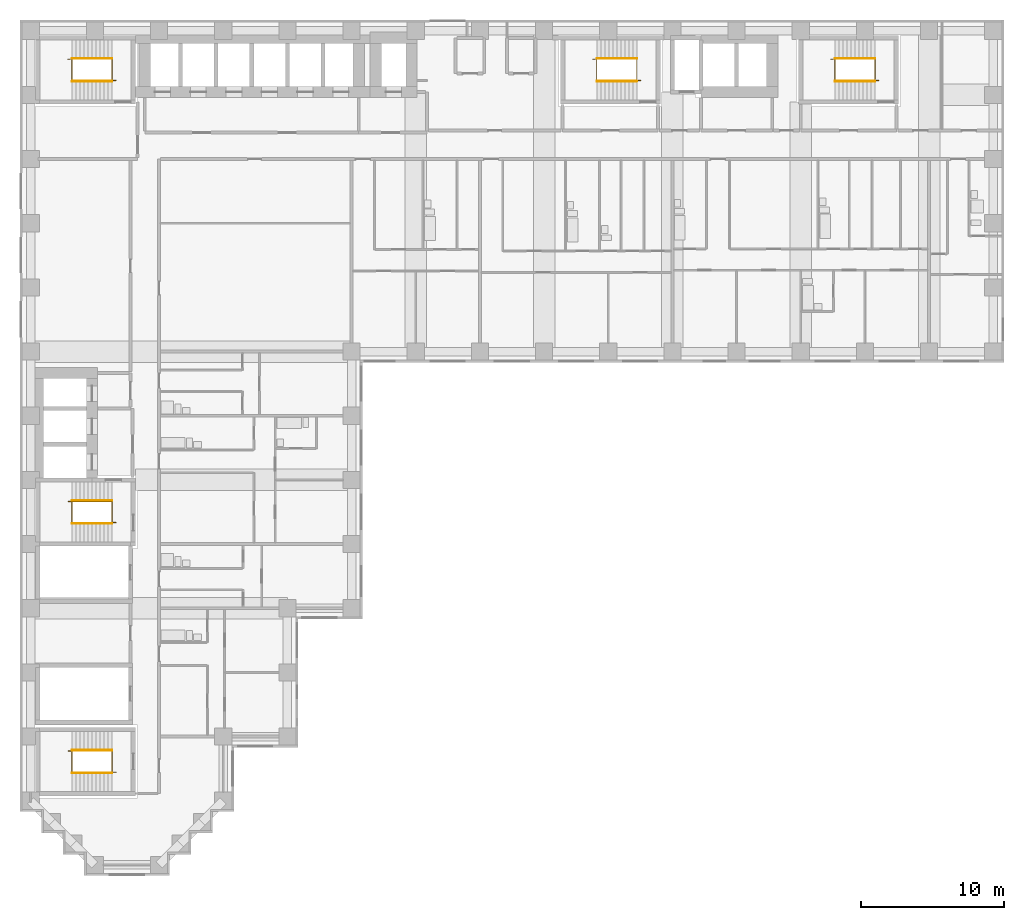
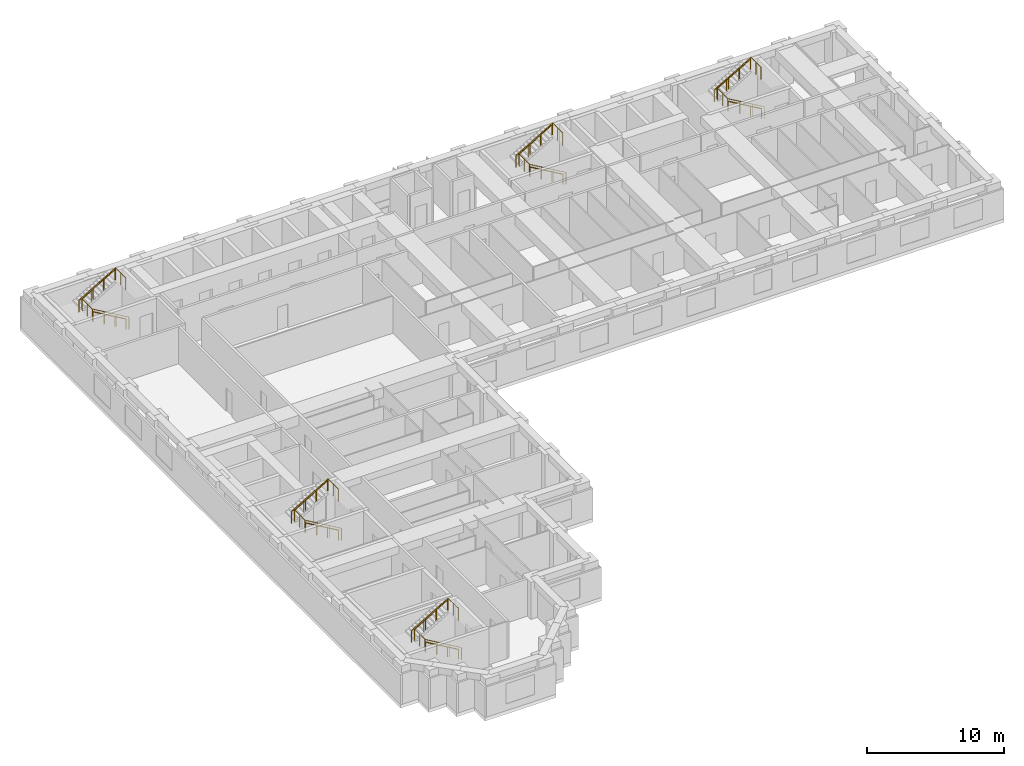
# One storey, part 10 of 11: 15 railings.
"""IFC4 building model written with IfcOpenShell, lengths in metres."""

from ifc_helpers import new_model, si_unit, direction, frame, origin, origin_2d, place, context, subcontext, project, spatial, circle, extrude, material, type_object, element, save


model = new_model("IFC4")

# Units and contexts
model_context = context("Model", 3, precision=1e-05, world=origin(), true_north=direction((0.0, 1.0)))
body_context = subcontext(model_context, "Body", "Model", "MODEL_VIEW")
ifc_project = project(units=[si_unit("LENGTHUNIT", "METRE"), si_unit("AREAUNIT", "SQUARE_METRE"), si_unit("VOLUMEUNIT", "CUBIC_METRE"), si_unit("PLANEANGLEUNIT", "RADIAN"), si_unit("MASSUNIT", "GRAM", prefix="KILO")], contexts=[model_context])

# Site, building, storey
site_placement = place(None, origin())
site = spatial("IfcSite", under=ifc_project, at=site_placement, CompositionType="ELEMENT")
building_placement = place(site_placement, origin())
building = spatial("IfcBuilding", under=site, at=building_placement, Name="Firuza Court", CompositionType="ELEMENT")
storey_placement = place(building_placement, frame((0.0, 0.0, 86.60009765625)))
storey = spatial("IfcBuildingStorey", under=building, at=storey_placement, Name="L21", CompositionType="ELEMENT", Elevation=86.60009765625)

# Railings
ifc_material_1 = material(Name="Steel S355", Category="steel")
railing_type_1 = type_object("IfcRailingType", Name="Handrail 900", PredefinedType="HANDRAIL", material=ifc_material_1)
railing_1_placement = place(storey_placement, frame((42.5, 54.949951171875, 0.16357421875)))
element("IfcRailing", 1, at=railing_1_placement, inside=storey, type_object=railing_type_1, Name="Handrail S1 flight 1", PredefinedType="HANDRAIL", context=body_context, shape_type="SweptSolid", body=[
    extrude(circle(Radius=0.02490234375, at=origin_2d()), frame((0.0, 0.0, 0.875), z_axis=(-0.863393664356, 0.0, 0.504530851732), x_axis=(0.0, -1.0, 0.0)), (0.0, 0.0, 1.0), 3.2431640625),
    extrude(circle(Radius=0.02001953125, at=origin_2d()), origin(), (0.0, 0.0, 1.0), 0.849853515625),
    extrude(circle(Radius=0.02001953125, at=origin_2d()), frame((-0.933349609375, 0.0, 0.54541015625)), (0.0, 0.0, 1.0), 0.849853515625),
    extrude(circle(Radius=0.02001953125, at=origin_2d()), frame((-1.86669921875, 0.0, 1.0908203125)), (0.0, 0.0, 1.0), 0.849853515625),
    extrude(circle(Radius=0.02001953125, at=origin_2d()), frame((-2.800048828125, 0.0, 1.63623046875)), (0.0, 0.0, 1.0), 0.849853515625),
])
railing_2_placement = place(storey_placement, frame((39.699951171875, 56.550048828125, 1.963623046875)))
element("IfcRailing", 2, at=railing_2_placement, inside=storey, type_object=railing_type_1, Name="Handrail S1 flight 2", PredefinedType="HANDRAIL", context=body_context, shape_type="SweptSolid", body=[
    extrude(circle(Radius=0.02490234375, at=origin_2d()), frame((0.0, 0.0, 0.875), z_axis=(0.863393664356, 0.0, 0.504530851732), x_axis=(0.0, 1.0, 0.0)), (0.0, 0.0, 1.0), 3.2431640625),
    extrude(circle(Radius=0.02001953125, at=origin_2d()), origin(), (0.0, 0.0, 1.0), 0.849853515625),
    extrude(circle(Radius=0.02001953125, at=origin_2d()), frame((0.933349609375, 0.0, 0.54541015625)), (0.0, 0.0, 1.0), 0.849853515625),
    extrude(circle(Radius=0.02001953125, at=origin_2d()), frame((1.86669921875, 0.0, 1.0908203125)), (0.0, 0.0, 1.0), 0.849853515625),
    extrude(circle(Radius=0.02001953125, at=origin_2d()), frame((2.800048828125, 0.0, 1.63623046875)), (0.0, 0.0, 1.0), 0.849853515625),
])
railing_3_placement = place(storey_placement, frame((5.699951171875, 23.949951171875, 0.16357421875)))
element("IfcRailing", 3, at=railing_3_placement, inside=storey, type_object=railing_type_1, Name="Handrail S2 flight 1", PredefinedType="HANDRAIL", context=body_context, shape_type="SweptSolid", body=[
    extrude(circle(Radius=0.02490234375, at=origin_2d()), frame((0.0, 0.0, 0.875), z_axis=(-0.863393664356, 0.0, 0.504530851732), x_axis=(0.0, -1.0, 0.0)), (0.0, 0.0, 1.0), 3.2431640625),
    extrude(circle(Radius=0.02001953125, at=origin_2d()), origin(), (0.0, 0.0, 1.0), 0.849853515625),
    extrude(circle(Radius=0.02001953125, at=origin_2d()), frame((-0.933349609375, 0.0, 0.54541015625)), (0.0, 0.0, 1.0), 0.849853515625),
    extrude(circle(Radius=0.02001953125, at=origin_2d()), frame((-1.86669921875, 0.0, 1.0908203125)), (0.0, 0.0, 1.0), 0.849853515625),
    extrude(circle(Radius=0.02001953125, at=origin_2d()), frame((-2.800048828125, 0.0, 1.63623046875)), (0.0, 0.0, 1.0), 0.849853515625),
])
railing_4_placement = place(storey_placement, frame((2.89990234375, 25.550048828125, 1.963623046875)))
element("IfcRailing", 4, at=railing_4_placement, inside=storey, type_object=railing_type_1, Name="Handrail S2 flight 2", PredefinedType="HANDRAIL", context=body_context, shape_type="SweptSolid", body=[
    extrude(circle(Radius=0.02490234375, at=origin_2d()), frame((0.0, 0.0, 0.875), z_axis=(0.863393664356, 0.0, 0.504530851732), x_axis=(0.0, 1.0, 0.0)), (0.0, 0.0, 1.0), 3.2431640625),
    extrude(circle(Radius=0.02001953125, at=origin_2d()), origin(), (0.0, 0.0, 1.0), 0.849853515625),
    extrude(circle(Radius=0.02001953125, at=origin_2d()), frame((0.933349609375, 0.0, 0.54541015625)), (0.0, 0.0, 1.0), 0.849853515625),
    extrude(circle(Radius=0.02001953125, at=origin_2d()), frame((1.86669921875, 0.0, 1.0908203125)), (0.0, 0.0, 1.0), 0.849853515625),
    extrude(circle(Radius=0.02001953125, at=origin_2d()), frame((2.800048828125, 0.0, 1.63623046875)), (0.0, 0.0, 1.0), 0.849853515625),
])
railing_5_placement = place(storey_placement, frame((5.699951171875, 54.949951171875, 0.16357421875)))
element("IfcRailing", 5, at=railing_5_placement, inside=storey, type_object=railing_type_1, Name="Handrail S3 flight 1", PredefinedType="HANDRAIL", context=body_context, shape_type="SweptSolid", body=[
    extrude(circle(Radius=0.02490234375, at=origin_2d()), frame((0.0, 0.0, 0.875), z_axis=(-0.863393664356, 0.0, 0.504530851732), x_axis=(0.0, -1.0, 0.0)), (0.0, 0.0, 1.0), 3.2431640625),
    extrude(circle(Radius=0.02001953125, at=origin_2d()), origin(), (0.0, 0.0, 1.0), 0.849853515625),
    extrude(circle(Radius=0.02001953125, at=origin_2d()), frame((-0.933349609375, 0.0, 0.54541015625)), (0.0, 0.0, 1.0), 0.849853515625),
    extrude(circle(Radius=0.02001953125, at=origin_2d()), frame((-1.86669921875, 0.0, 1.0908203125)), (0.0, 0.0, 1.0), 0.849853515625),
    extrude(circle(Radius=0.02001953125, at=origin_2d()), frame((-2.800048828125, 0.0, 1.63623046875)), (0.0, 0.0, 1.0), 0.849853515625),
])
railing_6_placement = place(storey_placement, frame((2.89990234375, 56.550048828125, 1.963623046875)))
element("IfcRailing", 6, at=railing_6_placement, inside=storey, type_object=railing_type_1, Name="Handrail S3 flight 2", PredefinedType="HANDRAIL", context=body_context, shape_type="SweptSolid", body=[
    extrude(circle(Radius=0.02490234375, at=origin_2d()), frame((0.0, 0.0, 0.875), z_axis=(0.863393664356, 0.0, 0.504530851732), x_axis=(0.0, 1.0, 0.0)), (0.0, 0.0, 1.0), 3.2431640625),
    extrude(circle(Radius=0.02001953125, at=origin_2d()), origin(), (0.0, 0.0, 1.0), 0.849853515625),
    extrude(circle(Radius=0.02001953125, at=origin_2d()), frame((0.933349609375, 0.0, 0.54541015625)), (0.0, 0.0, 1.0), 0.849853515625),
    extrude(circle(Radius=0.02001953125, at=origin_2d()), frame((1.86669921875, 0.0, 1.0908203125)), (0.0, 0.0, 1.0), 0.849853515625),
    extrude(circle(Radius=0.02001953125, at=origin_2d()), frame((2.800048828125, 0.0, 1.63623046875)), (0.0, 0.0, 1.0), 0.849853515625),
])
railing_7_placement = place(storey_placement, frame((59.199951171875, 54.949951171875, 0.16357421875)))
element("IfcRailing", 7, at=railing_7_placement, inside=storey, type_object=railing_type_1, Name="Handrail S4 flight 1", PredefinedType="HANDRAIL", context=body_context, shape_type="SweptSolid", body=[
    extrude(circle(Radius=0.02490234375, at=origin_2d()), frame((0.0, 0.0, 0.875), z_axis=(-0.863393664356, 0.0, 0.504530851732), x_axis=(0.0, -1.0, 0.0)), (0.0, 0.0, 1.0), 3.2431640625),
    extrude(circle(Radius=0.02001953125, at=origin_2d()), origin(), (0.0, 0.0, 1.0), 0.849853515625),
    extrude(circle(Radius=0.02001953125, at=origin_2d()), frame((-0.933349609375, 0.0, 0.54541015625)), (0.0, 0.0, 1.0), 0.849853515625),
    extrude(circle(Radius=0.02001953125, at=origin_2d()), frame((-1.86669921875, 0.0, 1.0908203125)), (0.0, 0.0, 1.0), 0.849853515625),
    extrude(circle(Radius=0.02001953125, at=origin_2d()), frame((-2.800048828125, 0.0, 1.63623046875)), (0.0, 0.0, 1.0), 0.849853515625),
])
railing_8_placement = place(storey_placement, frame((56.39990234375, 56.550048828125, 1.963623046875)))
element("IfcRailing", 8, at=railing_8_placement, inside=storey, type_object=railing_type_1, Name="Handrail S4 flight 2", PredefinedType="HANDRAIL", context=body_context, shape_type="SweptSolid", body=[
    extrude(circle(Radius=0.02490234375, at=origin_2d()), frame((0.0, 0.0, 0.875), z_axis=(0.863393664356, 0.0, 0.504530851732), x_axis=(0.0, 1.0, 0.0)), (0.0, 0.0, 1.0), 3.2431640625),
    extrude(circle(Radius=0.02001953125, at=origin_2d()), origin(), (0.0, 0.0, 1.0), 0.849853515625),
    extrude(circle(Radius=0.02001953125, at=origin_2d()), frame((0.933349609375, 0.0, 0.54541015625)), (0.0, 0.0, 1.0), 0.849853515625),
    extrude(circle(Radius=0.02001953125, at=origin_2d()), frame((1.86669921875, 0.0, 1.0908203125)), (0.0, 0.0, 1.0), 0.849853515625),
    extrude(circle(Radius=0.02001953125, at=origin_2d()), frame((2.800048828125, 0.0, 1.63623046875)), (0.0, 0.0, 1.0), 0.849853515625),
])
railing_9_placement = place(storey_placement, frame((5.699951171875, 6.449951171875, 0.16357421875)))
element("IfcRailing", 9, at=railing_9_placement, inside=storey, type_object=railing_type_1, Name="Handrail S5 flight 1", PredefinedType="HANDRAIL", context=body_context, shape_type="SweptSolid", body=[
    extrude(circle(Radius=0.02490234375, at=origin_2d()), frame((0.0, 0.0, 0.875), z_axis=(-0.863393664356, 0.0, 0.504530851732), x_axis=(0.0, -1.0, 0.0)), (0.0, 0.0, 1.0), 3.2431640625),
    extrude(circle(Radius=0.02001953125, at=origin_2d()), origin(), (0.0, 0.0, 1.0), 0.849853515625),
    extrude(circle(Radius=0.02001953125, at=origin_2d()), frame((-0.933349609375, 0.0, 0.54541015625)), (0.0, 0.0, 1.0), 0.849853515625),
    extrude(circle(Radius=0.02001953125, at=origin_2d()), frame((-1.86669921875, 0.0, 1.0908203125)), (0.0, 0.0, 1.0), 0.849853515625),
    extrude(circle(Radius=0.02001953125, at=origin_2d()), frame((-2.800048828125, 0.0, 1.63623046875)), (0.0, 0.0, 1.0), 0.849853515625),
])
railing_10_placement = place(storey_placement, frame((2.89990234375, 8.050048828125, 1.963623046875)))
element("IfcRailing", 10, at=railing_10_placement, inside=storey, type_object=railing_type_1, Name="Handrail S5 flight 2", PredefinedType="HANDRAIL", context=body_context, shape_type="SweptSolid", body=[
    extrude(circle(Radius=0.02490234375, at=origin_2d()), frame((0.0, 0.0, 0.875), z_axis=(0.863393664356, 0.0, 0.504530851732), x_axis=(0.0, 1.0, 0.0)), (0.0, 0.0, 1.0), 3.2431640625),
    extrude(circle(Radius=0.02001953125, at=origin_2d()), origin(), (0.0, 0.0, 1.0), 0.849853515625),
    extrude(circle(Radius=0.02001953125, at=origin_2d()), frame((0.933349609375, 0.0, 0.54541015625)), (0.0, 0.0, 1.0), 0.849853515625),
    extrude(circle(Radius=0.02001953125, at=origin_2d()), frame((1.86669921875, 0.0, 1.0908203125)), (0.0, 0.0, 1.0), 0.849853515625),
    extrude(circle(Radius=0.02001953125, at=origin_2d()), frame((2.800048828125, 0.0, 1.63623046875)), (0.0, 0.0, 1.0), 0.849853515625),
])
ifc_material_2 = material(Name="Steel S355", Category="steel")
railing_type_2 = type_object("IfcRailingType", Name="Stair guard 1100", PredefinedType="GUARDRAIL", material=ifc_material_2)
railing_11_placement = place(storey_placement, frame((42.780029296875, 55.010009765625, 0.0)))
element("IfcRailing", 11, at=railing_11_placement, inside=storey, type_object=railing_type_2, Name="Stair well guard S1", PredefinedType="GUARDRAIL", context=body_context, shape_type="SweptSolid", body=[
    extrude(circle(Radius=0.02490234375, at=origin_2d()), frame((0.0, 0.0, 1.0751953125), z_axis=(-0.863401368682, 0.0, 0.504517667242), x_axis=(0.0, -1.0, 0.0)), (0.0, 0.0, 1.0), 3.5673828125),
    extrude(circle(Radius=0.02490234375, at=origin_2d()), frame((-3.080078125, 0.0, 2.875), z_axis=(0.0, 1.0, 0.0), x_axis=(-1.0, 0.0, 0.0)), (0.0, 0.0, 1.0), 1.47998046875),
    extrude(circle(Radius=0.02490234375, at=origin_2d()), frame((-3.080078125, 1.47998046875, 2.875), z_axis=(-1.0, 0.0, 0.0), x_axis=(0.0, -1.0, 0.0)), (0.0, 0.0, 1.0), 0.280029296875),
    extrude(circle(Radius=0.02490234375, at=origin_2d()), frame((-3.360107421875, 1.47998046875, 2.875), z_axis=(0.863371556955, 0.0, 0.504568681787), x_axis=(0.0, 1.0, 0.0)), (0.0, 0.0, 1.0), 3.5673828125),
    extrude(circle(Radius=0.02490234375, at=origin_2d()), frame((-0.280029296875, 1.47998046875, 4.6748046875), z_axis=(0.0, -1.0, 0.0), x_axis=(1.0, 0.0, 0.0)), (0.0, 0.0, 1.0), 1.47998046875),
    extrude(circle(Radius=0.02490234375, at=origin_2d()), origin(), (0.0, 0.0, 1.0), 1.050048828125),
    extrude(circle(Radius=0.02490234375, at=origin_2d()), frame((-1.026611328125, 0.0, 0.599853515625)), (0.0, 0.0, 1.0), 1.050048828125),
    extrude(circle(Radius=0.02490234375, at=origin_2d()), frame((-2.053466796875, 0.0, 1.199951171875)), (0.0, 0.0, 1.0), 1.050048828125),
    extrude(circle(Radius=0.02490234375, at=origin_2d()), frame((-3.080078125, 0.0, 1.7998046875)), (0.0, 0.0, 1.0), 1.050048828125),
    extrude(circle(Radius=0.02490234375, at=origin_2d()), frame((-3.080078125, 0.739990234375, 1.7998046875)), (0.0, 0.0, 1.0), 1.050048828125),
    extrude(circle(Radius=0.02490234375, at=origin_2d()), frame((-3.080078125, 1.47998046875, 1.7998046875)), (0.0, 0.0, 1.0), 1.050048828125),
    extrude(circle(Radius=0.02490234375, at=origin_2d()), frame((-3.360107421875, 1.47998046875, 1.7998046875)), (0.0, 0.0, 1.0), 1.050048828125),
    extrude(circle(Radius=0.02490234375, at=origin_2d()), frame((-2.33349609375, 1.47998046875, 2.39990234375)), (0.0, 0.0, 1.0), 1.050048828125),
    extrude(circle(Radius=0.02490234375, at=origin_2d()), frame((-1.306640625, 1.47998046875, 2.999755859375)), (0.0, 0.0, 1.0), 1.050048828125),
    extrude(circle(Radius=0.02490234375, at=origin_2d()), frame((-0.280029296875, 1.47998046875, 3.599853515625)), (0.0, 0.0, 1.0), 1.050048828125),
    extrude(circle(Radius=0.02490234375, at=origin_2d()), frame((-0.280029296875, 0.739990234375, 3.599853515625)), (0.0, 0.0, 1.0), 1.050048828125),
    extrude(circle(Radius=0.02490234375, at=origin_2d()), frame((-0.280029296875, 0.0, 3.599853515625)), (0.0, 0.0, 1.0), 1.050048828125),
])
railing_12_placement = place(storey_placement, frame((5.97998046875, 24.010009765625, 0.0)))
element("IfcRailing", 12, at=railing_12_placement, inside=storey, type_object=railing_type_2, Name="Stair well guard S2", PredefinedType="GUARDRAIL", context=body_context, shape_type="SweptSolid", body=[
    extrude(circle(Radius=0.02490234375, at=origin_2d()), frame((0.0, 0.0, 1.0751953125), z_axis=(-0.863401368682, 0.0, 0.504517667242), x_axis=(0.0, -1.0, 0.0)), (0.0, 0.0, 1.0), 3.5673828125),
    extrude(circle(Radius=0.02490234375, at=origin_2d()), frame((-3.080078125, 0.0, 2.875), z_axis=(0.0, 1.0, 0.0), x_axis=(-1.0, 0.0, 0.0)), (0.0, 0.0, 1.0), 1.47998046875),
    extrude(circle(Radius=0.02490234375, at=origin_2d()), frame((-3.080078125, 1.47998046875, 2.875), z_axis=(-1.0, 0.0, 0.0), x_axis=(0.0, -1.0, 0.0)), (0.0, 0.0, 1.0), 0.27978515625),
    extrude(circle(Radius=0.02490234375, at=origin_2d()), frame((-3.35986328125, 1.47998046875, 2.875), z_axis=(0.863354132664, 0.0, 0.504598495452), x_axis=(0.0, 1.0, 0.0)), (0.0, 0.0, 1.0), 3.5673828125),
    extrude(circle(Radius=0.02490234375, at=origin_2d()), frame((-0.280029296875, 1.47998046875, 4.6748046875), z_axis=(0.0, -1.0, 0.0), x_axis=(1.0, 0.0, 0.0)), (0.0, 0.0, 1.0), 1.47998046875),
    extrude(circle(Radius=0.02490234375, at=origin_2d()), origin(), (0.0, 0.0, 1.0), 1.050048828125),
    extrude(circle(Radius=0.02490234375, at=origin_2d()), frame((-1.026611328125, 0.0, 0.599853515625)), (0.0, 0.0, 1.0), 1.050048828125),
    extrude(circle(Radius=0.02490234375, at=origin_2d()), frame((-2.053466796875, 0.0, 1.199951171875)), (0.0, 0.0, 1.0), 1.050048828125),
    extrude(circle(Radius=0.02490234375, at=origin_2d()), frame((-3.080078125, 0.0, 1.7998046875)), (0.0, 0.0, 1.0), 1.050048828125),
    extrude(circle(Radius=0.02490234375, at=origin_2d()), frame((-3.080078125, 0.739990234375, 1.7998046875)), (0.0, 0.0, 1.0), 1.050048828125),
    extrude(circle(Radius=0.02490234375, at=origin_2d()), frame((-3.080078125, 1.47998046875, 1.7998046875)), (0.0, 0.0, 1.0), 1.050048828125),
    extrude(circle(Radius=0.02490234375, at=origin_2d()), frame((-3.35986328125, 1.47998046875, 1.7998046875)), (0.0, 0.0, 1.0), 1.050048828125),
    extrude(circle(Radius=0.02490234375, at=origin_2d()), frame((-2.333251953125, 1.47998046875, 2.39990234375)), (0.0, 0.0, 1.0), 1.050048828125),
    extrude(circle(Radius=0.02490234375, at=origin_2d()), frame((-1.306640625, 1.47998046875, 2.999755859375)), (0.0, 0.0, 1.0), 1.050048828125),
    extrude(circle(Radius=0.02490234375, at=origin_2d()), frame((-0.280029296875, 1.47998046875, 3.599853515625)), (0.0, 0.0, 1.0), 1.050048828125),
    extrude(circle(Radius=0.02490234375, at=origin_2d()), frame((-0.280029296875, 0.739990234375, 3.599853515625)), (0.0, 0.0, 1.0), 1.050048828125),
    extrude(circle(Radius=0.02490234375, at=origin_2d()), frame((-0.280029296875, 0.0, 3.599853515625)), (0.0, 0.0, 1.0), 1.050048828125),
])
railing_13_placement = place(storey_placement, frame((5.97998046875, 55.010009765625, 0.0)))
element("IfcRailing", 13, at=railing_13_placement, inside=storey, type_object=railing_type_2, Name="Stair well guard S3", PredefinedType="GUARDRAIL", context=body_context, shape_type="SweptSolid", body=[
    extrude(circle(Radius=0.02490234375, at=origin_2d()), frame((0.0, 0.0, 1.0751953125), z_axis=(-0.863401368682, 0.0, 0.504517667242), x_axis=(0.0, -1.0, 0.0)), (0.0, 0.0, 1.0), 3.5673828125),
    extrude(circle(Radius=0.02490234375, at=origin_2d()), frame((-3.080078125, 0.0, 2.875), z_axis=(0.0, 1.0, 0.0), x_axis=(-1.0, 0.0, 0.0)), (0.0, 0.0, 1.0), 1.47998046875),
    extrude(circle(Radius=0.02490234375, at=origin_2d()), frame((-3.080078125, 1.47998046875, 2.875), z_axis=(-1.0, 0.0, 0.0), x_axis=(0.0, -1.0, 0.0)), (0.0, 0.0, 1.0), 0.27978515625),
    extrude(circle(Radius=0.02490234375, at=origin_2d()), frame((-3.35986328125, 1.47998046875, 2.875), z_axis=(0.863354132664, 0.0, 0.504598495452), x_axis=(0.0, 1.0, 0.0)), (0.0, 0.0, 1.0), 3.5673828125),
    extrude(circle(Radius=0.02490234375, at=origin_2d()), frame((-0.280029296875, 1.47998046875, 4.6748046875), z_axis=(0.0, -1.0, 0.0), x_axis=(1.0, 0.0, 0.0)), (0.0, 0.0, 1.0), 1.47998046875),
    extrude(circle(Radius=0.02490234375, at=origin_2d()), origin(), (0.0, 0.0, 1.0), 1.050048828125),
    extrude(circle(Radius=0.02490234375, at=origin_2d()), frame((-1.026611328125, 0.0, 0.599853515625)), (0.0, 0.0, 1.0), 1.050048828125),
    extrude(circle(Radius=0.02490234375, at=origin_2d()), frame((-2.053466796875, 0.0, 1.199951171875)), (0.0, 0.0, 1.0), 1.050048828125),
    extrude(circle(Radius=0.02490234375, at=origin_2d()), frame((-3.080078125, 0.0, 1.7998046875)), (0.0, 0.0, 1.0), 1.050048828125),
    extrude(circle(Radius=0.02490234375, at=origin_2d()), frame((-3.080078125, 0.739990234375, 1.7998046875)), (0.0, 0.0, 1.0), 1.050048828125),
    extrude(circle(Radius=0.02490234375, at=origin_2d()), frame((-3.080078125, 1.47998046875, 1.7998046875)), (0.0, 0.0, 1.0), 1.050048828125),
    extrude(circle(Radius=0.02490234375, at=origin_2d()), frame((-3.35986328125, 1.47998046875, 1.7998046875)), (0.0, 0.0, 1.0), 1.050048828125),
    extrude(circle(Radius=0.02490234375, at=origin_2d()), frame((-2.333251953125, 1.47998046875, 2.39990234375)), (0.0, 0.0, 1.0), 1.050048828125),
    extrude(circle(Radius=0.02490234375, at=origin_2d()), frame((-1.306640625, 1.47998046875, 2.999755859375)), (0.0, 0.0, 1.0), 1.050048828125),
    extrude(circle(Radius=0.02490234375, at=origin_2d()), frame((-0.280029296875, 1.47998046875, 3.599853515625)), (0.0, 0.0, 1.0), 1.050048828125),
    extrude(circle(Radius=0.02490234375, at=origin_2d()), frame((-0.280029296875, 0.739990234375, 3.599853515625)), (0.0, 0.0, 1.0), 1.050048828125),
    extrude(circle(Radius=0.02490234375, at=origin_2d()), frame((-0.280029296875, 0.0, 3.599853515625)), (0.0, 0.0, 1.0), 1.050048828125),
])
railing_14_placement = place(storey_placement, frame((59.47998046875, 55.010009765625, 0.0)))
element("IfcRailing", 14, at=railing_14_placement, inside=storey, type_object=railing_type_2, Name="Stair well guard S4", PredefinedType="GUARDRAIL", context=body_context, shape_type="SweptSolid", body=[
    extrude(circle(Radius=0.02490234375, at=origin_2d()), frame((0.0, 0.0, 1.0751953125), z_axis=(-0.863401368682, 0.0, 0.504517667242), x_axis=(0.0, -1.0, 0.0)), (0.0, 0.0, 1.0), 3.5673828125),
    extrude(circle(Radius=0.02490234375, at=origin_2d()), frame((-3.080078125, 0.0, 2.875), z_axis=(0.0, 1.0, 0.0), x_axis=(-1.0, 0.0, 0.0)), (0.0, 0.0, 1.0), 1.47998046875),
    extrude(circle(Radius=0.02490234375, at=origin_2d()), frame((-3.080078125, 1.47998046875, 2.875), z_axis=(-1.0, 0.0, 0.0), x_axis=(0.0, -1.0, 0.0)), (0.0, 0.0, 1.0), 0.27978515625),
    extrude(circle(Radius=0.02490234375, at=origin_2d()), frame((-3.35986328125, 1.47998046875, 2.875), z_axis=(0.863354132664, 0.0, 0.504598495452), x_axis=(0.0, 1.0, 0.0)), (0.0, 0.0, 1.0), 3.5673828125),
    extrude(circle(Radius=0.02490234375, at=origin_2d()), frame((-0.280029296875, 1.47998046875, 4.6748046875), z_axis=(0.0, -1.0, 0.0), x_axis=(1.0, 0.0, 0.0)), (0.0, 0.0, 1.0), 1.47998046875),
    extrude(circle(Radius=0.02490234375, at=origin_2d()), origin(), (0.0, 0.0, 1.0), 1.050048828125),
    extrude(circle(Radius=0.02490234375, at=origin_2d()), frame((-1.026611328125, 0.0, 0.599853515625)), (0.0, 0.0, 1.0), 1.050048828125),
    extrude(circle(Radius=0.02490234375, at=origin_2d()), frame((-2.053466796875, 0.0, 1.199951171875)), (0.0, 0.0, 1.0), 1.050048828125),
    extrude(circle(Radius=0.02490234375, at=origin_2d()), frame((-3.080078125, 0.0, 1.7998046875)), (0.0, 0.0, 1.0), 1.050048828125),
    extrude(circle(Radius=0.02490234375, at=origin_2d()), frame((-3.080078125, 0.739990234375, 1.7998046875)), (0.0, 0.0, 1.0), 1.050048828125),
    extrude(circle(Radius=0.02490234375, at=origin_2d()), frame((-3.080078125, 1.47998046875, 1.7998046875)), (0.0, 0.0, 1.0), 1.050048828125),
    extrude(circle(Radius=0.02490234375, at=origin_2d()), frame((-3.35986328125, 1.47998046875, 1.7998046875)), (0.0, 0.0, 1.0), 1.050048828125),
    extrude(circle(Radius=0.02490234375, at=origin_2d()), frame((-2.333251953125, 1.47998046875, 2.39990234375)), (0.0, 0.0, 1.0), 1.050048828125),
    extrude(circle(Radius=0.02490234375, at=origin_2d()), frame((-1.306640625, 1.47998046875, 2.999755859375)), (0.0, 0.0, 1.0), 1.050048828125),
    extrude(circle(Radius=0.02490234375, at=origin_2d()), frame((-0.280029296875, 1.47998046875, 3.599853515625)), (0.0, 0.0, 1.0), 1.050048828125),
    extrude(circle(Radius=0.02490234375, at=origin_2d()), frame((-0.280029296875, 0.739990234375, 3.599853515625)), (0.0, 0.0, 1.0), 1.050048828125),
    extrude(circle(Radius=0.02490234375, at=origin_2d()), frame((-0.280029296875, 0.0, 3.599853515625)), (0.0, 0.0, 1.0), 1.050048828125),
])
railing_15_placement = place(storey_placement, frame((5.97998046875, 6.510009765625, 0.0)))
element("IfcRailing", 15, at=railing_15_placement, inside=storey, type_object=railing_type_2, Name="Stair well guard S5", PredefinedType="GUARDRAIL", context=body_context, shape_type="SweptSolid", body=[
    extrude(circle(Radius=0.02490234375, at=origin_2d()), frame((0.0, 0.0, 1.0751953125), z_axis=(-0.863401368682, 0.0, 0.504517667242), x_axis=(0.0, -1.0, 0.0)), (0.0, 0.0, 1.0), 3.5673828125),
    extrude(circle(Radius=0.02490234375, at=origin_2d()), frame((-3.080078125, 0.0, 2.875), z_axis=(0.0, 1.0, 0.0), x_axis=(-1.0, 0.0, 0.0)), (0.0, 0.0, 1.0), 1.47998046875),
    extrude(circle(Radius=0.02490234375, at=origin_2d()), frame((-3.080078125, 1.47998046875, 2.875), z_axis=(-1.0, 0.0, 0.0), x_axis=(0.0, -1.0, 0.0)), (0.0, 0.0, 1.0), 0.27978515625),
    extrude(circle(Radius=0.02490234375, at=origin_2d()), frame((-3.35986328125, 1.47998046875, 2.875), z_axis=(0.863354132664, 0.0, 0.504598495452), x_axis=(0.0, 1.0, 0.0)), (0.0, 0.0, 1.0), 3.5673828125),
    extrude(circle(Radius=0.02490234375, at=origin_2d()), frame((-0.280029296875, 1.47998046875, 4.6748046875), z_axis=(0.0, -1.0, 0.0), x_axis=(1.0, 0.0, 0.0)), (0.0, 0.0, 1.0), 1.47998046875),
    extrude(circle(Radius=0.02490234375, at=origin_2d()), origin(), (0.0, 0.0, 1.0), 1.050048828125),
    extrude(circle(Radius=0.02490234375, at=origin_2d()), frame((-1.026611328125, 0.0, 0.599853515625)), (0.0, 0.0, 1.0), 1.050048828125),
    extrude(circle(Radius=0.02490234375, at=origin_2d()), frame((-2.053466796875, 0.0, 1.199951171875)), (0.0, 0.0, 1.0), 1.050048828125),
    extrude(circle(Radius=0.02490234375, at=origin_2d()), frame((-3.080078125, 0.0, 1.7998046875)), (0.0, 0.0, 1.0), 1.050048828125),
    extrude(circle(Radius=0.02490234375, at=origin_2d()), frame((-3.080078125, 0.739990234375, 1.7998046875)), (0.0, 0.0, 1.0), 1.050048828125),
    extrude(circle(Radius=0.02490234375, at=origin_2d()), frame((-3.080078125, 1.47998046875, 1.7998046875)), (0.0, 0.0, 1.0), 1.050048828125),
    extrude(circle(Radius=0.02490234375, at=origin_2d()), frame((-3.35986328125, 1.47998046875, 1.7998046875)), (0.0, 0.0, 1.0), 1.050048828125),
    extrude(circle(Radius=0.02490234375, at=origin_2d()), frame((-2.333251953125, 1.47998046875, 2.39990234375)), (0.0, 0.0, 1.0), 1.050048828125),
    extrude(circle(Radius=0.02490234375, at=origin_2d()), frame((-1.306640625, 1.47998046875, 2.999755859375)), (0.0, 0.0, 1.0), 1.050048828125),
    extrude(circle(Radius=0.02490234375, at=origin_2d()), frame((-0.280029296875, 1.47998046875, 3.599853515625)), (0.0, 0.0, 1.0), 1.050048828125),
    extrude(circle(Radius=0.02490234375, at=origin_2d()), frame((-0.280029296875, 0.739990234375, 3.599853515625)), (0.0, 0.0, 1.0), 1.050048828125),
    extrude(circle(Radius=0.02490234375, at=origin_2d()), frame((-0.280029296875, 0.0, 3.599853515625)), (0.0, 0.0, 1.0), 1.050048828125),
])

save(model, "model.ifc")
